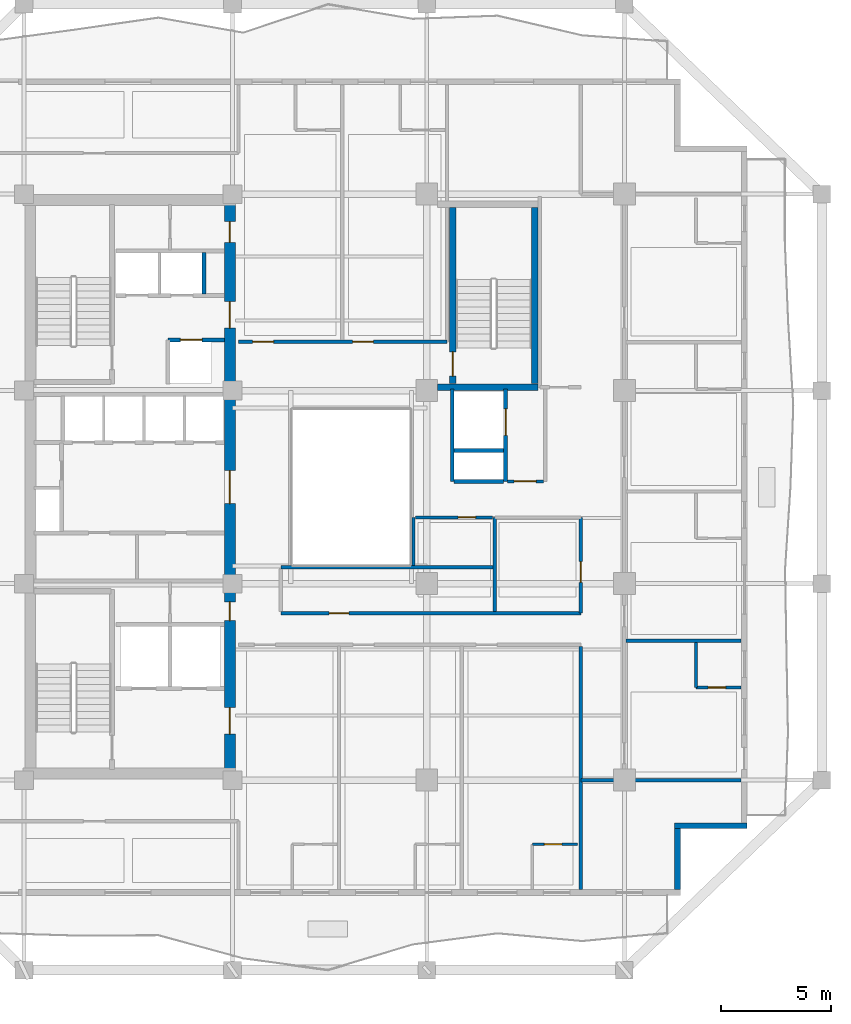
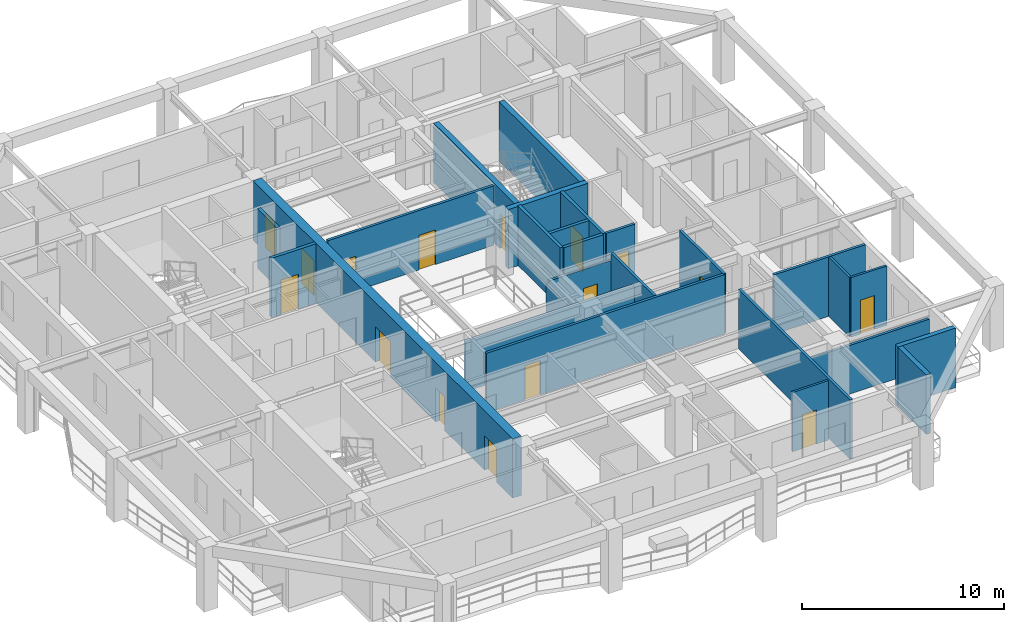
# One storey, part 5 of 11: 26 walls, 16 doors, 16 openings.
"""IFC4 building model written with IfcOpenShell, lengths in metres."""

from ifc_helpers import new_model, si_unit, direction, frame, frame_2d, origin, place, context, subcontext, project, spatial, rectangle, extrude, material, layer, layer_set, type_object, element, fill, save


model = new_model("IFC4")

# Units and contexts
model_context = context("Model", 3, precision=1e-05, world=origin(), true_north=direction((0.0, 1.0)))
body_context = subcontext(model_context, "Body", "Model", "MODEL_VIEW")
ifc_project = project(units=[si_unit("LENGTHUNIT", "METRE"), si_unit("AREAUNIT", "SQUARE_METRE"), si_unit("VOLUMEUNIT", "CUBIC_METRE"), si_unit("PLANEANGLEUNIT", "RADIAN"), si_unit("MASSUNIT", "GRAM", prefix="KILO")], contexts=[model_context])

# Site, building, storey
site_placement = place(None, origin())
site = spatial("IfcSite", under=ifc_project, at=site_placement, CompositionType="ELEMENT")
building_placement = place(site_placement, origin())
building = spatial("IfcBuilding", under=site, at=building_placement, Name="Kundavana Baori Tower", CompositionType="ELEMENT")
storey_placement = place(building_placement, frame((0.0, 0.0, 130.949951171875)))
storey = spatial("IfcBuildingStorey", under=building, at=storey_placement, Name="L31", CompositionType="ELEMENT", Elevation=130.949951171875)

# Wall, openings, doors
ifc_material_1 = material(Name="Concrete C50/60", Category="concrete")
ifc_layer_1 = layer(ifc_material_1, 0.5, Name="WL-CORE-500")
ifc_layer_set_1 = layer_set([ifc_layer_1], Name="Concrete C50/60")
wall_type_1 = type_object("IfcWallType", Name="WL-CORE-500", PredefinedType="SHEAR", material=ifc_layer_set_1)
wall_1_placement = place(storey_placement, frame((24.830078125, 15.739990234375, 0.0), z_axis=(0.0, 0.0, 1.0), x_axis=(0.0, 1.0, 0.0)))
wall_1 = element("IfcWall", 1, at=wall_1_placement, inside=storey, type_object=wall_type_1, Name="L31 Offset Core East Shear Wall", PredefinedType="SHEAR", context=body_context, shape_type="SweptSolid", body=[
    extrude(rectangle(XDim=25.760009765625, YDim=0.5, at=frame_2d((12.8798828125, 0.0))), origin(), (0.0, 0.0, 1.0), 3.60009765625),
])
opening_1_placement = place(wall_1_placement, frame((1.610107421875, 0.0, 0.0)))
opening_1 = element("IfcOpeningElement", 2, at=opening_1_placement, cuts=wall_1, Name="Opening FD-120", PredefinedType="OPENING", context=body_context, shape_type="SweptSolid", body=[
    extrude(rectangle(XDim=1.199951171875, YDim=2.10009765625, at=frame_2d((0.60009765625, 1.050048828125))), frame((0.0, 0.260009765625, 0.0), z_axis=(0.0, -1.0, 0.0), x_axis=(1.0, 0.0, 0.0)), (0.0, 0.0, 1.0), 0.52001953125),
])
opening_2_placement = place(wall_1_placement, frame((6.780029296875, 0.0, 0.0)))
opening_2 = element("IfcOpeningElement", 3, at=opening_2_placement, cuts=wall_1, Name="Opening FD-085", PredefinedType="OPENING", context=body_context, shape_type="SweptSolid", body=[
    extrude(rectangle(XDim=0.85009765625, YDim=2.06005859375, at=frame_2d((0.425048828125, 1.030029296875))), frame((0.0, 0.260009765625, 0.0), z_axis=(0.0, -1.0, 0.0), x_axis=(1.0, 0.0, 0.0)), (0.0, 0.0, 1.0), 0.52001953125),
])
opening_3_placement = place(wall_1_placement, frame((12.110107421875, 0.0, 0.0)))
opening_3 = element("IfcOpeningElement", 4, at=opening_3_placement, cuts=wall_1, Name="Opening FD-150", PredefinedType="OPENING", context=body_context, shape_type="SweptSolid", body=[
    extrude(rectangle(XDim=1.5, YDim=2.1201171875, at=frame_2d((0.75, 1.06005859375))), frame((0.0, 0.260009765625, 0.0), z_axis=(0.0, -1.0, 0.0), x_axis=(1.0, 0.0, 0.0)), (0.0, 0.0, 1.0), 0.52001953125),
])
opening_4_placement = place(wall_1_placement, frame((20.110107421875, 0.0, 0.0)))
opening_4 = element("IfcOpeningElement", 5, at=opening_4_placement, cuts=wall_1, Name="Opening FD-122", PredefinedType="OPENING", context=body_context, shape_type="SweptSolid", body=[
    extrude(rectangle(XDim=1.199951171875, YDim=2.1201171875, at=frame_2d((0.60009765625, 1.06005859375))), frame((0.0, 0.260009765625, 0.0), z_axis=(0.0, -1.0, 0.0), x_axis=(1.0, 0.0, 0.0)), (0.0, 0.0, 1.0), 0.52001953125),
])
opening_5_placement = place(wall_1_placement, frame((24.010009765625, 0.0, 0.0)))
opening_5 = element("IfcOpeningElement", 6, at=opening_5_placement, cuts=wall_1, Name="Opening FD-095", PredefinedType="OPENING", context=body_context, shape_type="SweptSolid", body=[
    extrude(rectangle(XDim=0.949951171875, YDim=2.10009765625, at=frame_2d((0.47509765625, 1.050048828125))), frame((0.0, 0.260009765625, 0.0), z_axis=(0.0, -1.0, 0.0), x_axis=(1.0, 0.0, 0.0)), (0.0, 0.0, 1.0), 0.52001953125),
])
ifc_material_2 = material(Name="Galvanised Steel Fire-Rated Door Leaf", Category="steel")
door_type_1 = type_object("IfcDoorType", Name="DR-FD120-1200", OperationType="NOTDEFINED", PredefinedType="DOOR", material=ifc_material_2)
door_1_placement = place(opening_1_placement, frame((1.199951171875, 0.0, 0.0), z_axis=(0.0, 0.0, 1.0), x_axis=(-1.0, 0.0, 0.0)))
door_1 = element("IfcDoor", 7, at=door_1_placement, inside=storey, type_object=door_type_1, Name="DR-L31-FFLOB-E", OperationType="SINGLE_SWING_RIGHT", OverallHeight=2.10009765625, OverallWidth=1.199951171875, PredefinedType="DOOR", context=body_context, shape_type="SweptSolid", body=[
    extrude(rectangle(XDim=1.199951171875, YDim=2.10009765625, at=frame_2d((0.60009765625, 1.050048828125))), frame((0.0, 0.02490234375, 0.0), z_axis=(0.0, -1.0, 0.0), x_axis=(1.0, 0.0, 0.0)), (0.0, 0.0, 1.0), 0.050048828125),
])
fill(opening_1, door_1)
ifc_material_3 = material(Name="Galvanised Steel Fire-Rated Door Leaf", Category="steel")
door_type_2 = type_object("IfcDoorType", Name="DR-FD60-1200", OperationType="NOTDEFINED", PredefinedType="DOOR", material=ifc_material_3)
door_2_placement = place(opening_4_placement, frame((1.199951171875, 0.0, 0.0), z_axis=(0.0, 0.0, 1.0), x_axis=(-1.0, 0.0, 0.0)))
door_2 = element("IfcDoor", 8, at=door_2_placement, inside=storey, type_object=door_type_2, Name="DR-L31-HRLOB-E", OperationType="SINGLE_SWING_RIGHT", OverallHeight=2.1201171875, OverallWidth=1.199951171875, PredefinedType="DOOR", context=body_context, shape_type="SweptSolid", body=[
    extrude(rectangle(XDim=1.199951171875, YDim=2.1201171875, at=frame_2d((0.60009765625, 1.06005859375))), frame((0.0, 0.02490234375, 0.0), z_axis=(0.0, -1.0, 0.0), x_axis=(1.0, 0.0, 0.0)), (0.0, 0.0, 1.0), 0.050048828125),
])
fill(opening_4, door_2)
ifc_material_4 = material(Name="Galvanised Steel Fire-Rated Door Leaf", Category="steel")
door_type_3 = type_object("IfcDoorType", Name="DR-FD60-1500", OperationType="NOTDEFINED", PredefinedType="DOOR", material=ifc_material_4)
door_3_placement = place(opening_3_placement, frame((1.5, 0.0, 0.0), z_axis=(0.0, 0.0, 1.0), x_axis=(-1.0, 0.0, 0.0)))
door_3 = element("IfcDoor", 9, at=door_3_placement, inside=storey, type_object=door_type_3, Name="DR-L31-LIFTHALL-E", OperationType="SINGLE_SWING_LEFT", OverallHeight=2.1201171875, OverallWidth=1.5, PredefinedType="DOOR", context=body_context, shape_type="SweptSolid", body=[
    extrude(rectangle(XDim=1.5, YDim=2.1201171875, at=frame_2d((0.75, 1.06005859375))), frame((0.0, 0.02490234375, 0.0), z_axis=(0.0, -1.0, 0.0), x_axis=(1.0, 0.0, 0.0)), (0.0, 0.0, 1.0), 0.050048828125),
])
fill(opening_3, door_3)
ifc_material_5 = material(Name="Galvanised Steel Fire-Rated Door Leaf", Category="steel")
door_type_4 = type_object("IfcDoorType", Name="DR-FD60-850", OperationType="NOTDEFINED", PredefinedType="DOOR", material=ifc_material_5)
door_4_placement = place(opening_2_placement, frame((0.85009765625, 0.0, 0.0), z_axis=(0.0, 0.0, 1.0), x_axis=(-1.0, 0.0, 0.0)))
door_4 = element("IfcDoor", 10, at=door_4_placement, inside=storey, type_object=door_type_4, Name="DR-L31-CSMK2", OperationType="SINGLE_SWING_RIGHT", OverallHeight=2.06005859375, OverallWidth=0.85009765625, PredefinedType="DOOR", context=body_context, shape_type="SweptSolid", body=[
    extrude(rectangle(XDim=0.85009765625, YDim=2.06005859375, at=frame_2d((0.425048828125, 1.030029296875))), frame((0.0, 0.02490234375, 0.0), z_axis=(0.0, -1.0, 0.0), x_axis=(1.0, 0.0, 0.0)), (0.0, 0.0, 1.0), 0.050048828125),
])
fill(opening_2, door_4)
ifc_material_6 = material(Name="Engineered Teak Fire-Rated Timber Door Leaf", Category="wood")
door_type_5 = type_object("IfcDoorType", Name="DR-FD60-950", OperationType="NOTDEFINED", PredefinedType="DOOR", material=ifc_material_6)
door_5_placement = place(opening_5_placement, frame((0.949951171875, 0.0, 0.0), z_axis=(0.0, 0.0, 1.0), x_axis=(-1.0, 0.0, 0.0)))
door_5 = element("IfcDoor", 11, at=door_5_placement, inside=storey, type_object=door_type_5, Name="DR-L31-CSRV2", OperationType="SINGLE_SWING_RIGHT", OverallHeight=2.10009765625, OverallWidth=0.949951171875, PredefinedType="DOOR", context=body_context, shape_type="SweptSolid", body=[
    extrude(rectangle(XDim=0.949951171875, YDim=2.10009765625, at=frame_2d((0.47509765625, 1.050048828125))), frame((0.0, 0.02490234375, 0.0), z_axis=(0.0, -1.0, 0.0), x_axis=(1.0, 0.0, 0.0)), (0.0, 0.0, 1.0), 0.050048828125),
])
fill(opening_5, door_5)

# Walls
ifc_material_7 = material(Name="Kiln-Fired Terracotta Brick-Slip Masonry on Concrete C40/50", Category="masonry")
ifc_layer_2 = layer(ifc_material_7, 0.260009765625, Name="WL-EXT-BRK-260")
ifc_layer_set_2 = layer_set([ifc_layer_2], Name="Kiln-Fired Terracotta Brick-Slip Masonry on Concrete C40/50")
wall_type_2 = type_object("IfcWallType", Name="WL-EXT-BRK-260", PredefinedType="SOLIDWALL", material=ifc_layer_set_2)
wall_2_placement = place(storey_placement, frame((45.219970703125, 10.260009765625, 0.0), z_axis=(0.0, 0.0, 1.0), x_axis=(0.0, 1.0, 0.0)))
element("IfcWall", 12, at=wall_2_placement, inside=storey, type_object=wall_type_2, Name="L31 Exterior Insulated Facade Wall 02", PredefinedType="SOLIDWALL", context=body_context, shape_type="SweptSolid", body=[
    extrude(rectangle(XDim=2.7900390625, YDim=0.260009765625, at=frame_2d((1.39501953125, 0.0))), origin(), (0.0, 0.0, 1.0), 3.60009765625),
])
wall_3_placement = place(storey_placement, frame((45.090087890625, 13.179931640625, 0.0), z_axis=(0.0, 0.0, 1.0), x_axis=(1.0, 0.0, 0.0)))
element("IfcWall", 13, at=wall_3_placement, inside=storey, type_object=wall_type_2, Name="L31 Exterior Insulated Facade Wall 03", PredefinedType="SOLIDWALL", context=body_context, shape_type="SweptSolid", body=[
    extrude(rectangle(XDim=3.309814453125, YDim=0.260009765625, at=frame_2d((1.65478515625, 0.0))), origin(), (0.0, 0.0, 1.0), 3.60009765625),
])

# Wall, opening, door
ifc_material_8 = material(Name="Fire-Rated Gypsum Drywall on Galvanised Steel Studs", Category="steel")
ifc_layer_3 = layer(ifc_material_8, 0.14990234375, Name="WL-PART-150")
ifc_layer_set_3 = layer_set([ifc_layer_3], Name="Fire-Rated Gypsum Drywall on Galvanised Steel Studs")
wall_type_3 = type_object("IfcWallType", Name="WL-PART-150", PredefinedType="PARTITIONING", material=ifc_layer_set_3)
wall_4_placement = place(storey_placement, frame((37.47998046875, 28.860107421875, 0.0), z_axis=(0.0, 0.0, 1.0), x_axis=(1.0, 0.0, 0.0)))
wall_4 = element("IfcWall", 14, at=wall_4_placement, inside=storey, type_object=wall_type_3, Name="WL-L31-SVLOB-S", PredefinedType="PARTITIONING", context=body_context, shape_type="SweptSolid", body=[
    extrude(rectangle(XDim=1.64013671875, YDim=0.14990234375, at=frame_2d((0.820068359375, 0.0))), origin(), (0.0, 0.0, 1.0), 3.60009765625),
])
opening_6_placement = place(wall_4_placement, frame((0.300048828125, 0.0, 0.0)))
opening_6 = element("IfcOpeningElement", 15, at=opening_6_placement, cuts=wall_4, Name="Opening FD-100", PredefinedType="OPENING", context=body_context, shape_type="SweptSolid", body=[
    extrude(rectangle(XDim=1.0, YDim=2.10009765625, at=frame_2d((0.5, 1.050048828125))), frame((0.0, 0.0849609375, 0.0), z_axis=(0.0, -1.0, 0.0), x_axis=(1.0, 0.0, 0.0)), (0.0, 0.0, 1.0), 0.169921875),
])
ifc_material_9 = material(Name="Engineered Teak Fire-Rated Timber Door Leaf", Category="wood")
door_type_6 = type_object("IfcDoorType", Name="DR-FD60-1000", OperationType="NOTDEFINED", PredefinedType="DOOR", material=ifc_material_9)
door_6_placement = place(opening_6_placement, origin())
door_6 = element("IfcDoor", 16, at=door_6_placement, inside=storey, type_object=door_type_6, Name="DR-L31-SVLOB-OUT", OperationType="SINGLE_SWING_LEFT", OverallHeight=2.10009765625, OverallWidth=1.0, PredefinedType="DOOR", context=body_context, shape_type="SweptSolid", body=[
    extrude(rectangle(XDim=1.0, YDim=2.10009765625, at=frame_2d((0.5, 1.050048828125))), frame((0.0, 0.02490234375, 0.0), z_axis=(0.0, -1.0, 0.0), x_axis=(1.0, 0.0, 0.0)), (0.0, 0.0, 1.0), 0.050048828125),
])
fill(opening_6, door_6)

wall_5_placement = place(storey_placement, frame((27.14990234375, 22.860107421875, 0.0), z_axis=(0.0, 0.0, 1.0), x_axis=(1.0, 0.0, 0.0)))
wall_5 = element("IfcWall", 17, at=wall_5_placement, inside=storey, type_object=wall_type_3, Name="WL-L31-HST", PredefinedType="PARTITIONING", context=body_context, shape_type="SweptSolid", body=[
    extrude(rectangle(XDim=13.670166015625, YDim=0.14990234375, at=frame_2d((6.8349609375, 0.0))), origin(), (0.0, 0.0, 1.0), 3.60009765625),
])
opening_7_placement = place(wall_5_placement, frame((2.199951171875, 0.0, 0.0)))
opening_7 = element("IfcOpeningElement", 18, at=opening_7_placement, cuts=wall_5, Name="Opening ID-090", PredefinedType="OPENING", context=body_context, shape_type="SweptSolid", body=[
    extrude(rectangle(XDim=0.89990234375, YDim=2.080078125, at=frame_2d((0.449951171875, 1.0400390625))), frame((0.0, 0.0849609375, 0.0), z_axis=(0.0, -1.0, 0.0), x_axis=(1.0, 0.0, 0.0)), (0.0, 0.0, 1.0), 0.169921875),
])
ifc_material_10 = material(Name="Engineered Teak Solid-Core Timber Veneer", Category="wood")
door_type_7 = type_object("IfcDoorType", Name="DR-INT-900", OperationType="NOTDEFINED", PredefinedType="DOOR", material=ifc_material_10)
door_7_placement = place(opening_7_placement, origin())
door_7 = element("IfcDoor", 19, at=door_7_placement, inside=storey, type_object=door_type_7, Name="DR-L31-HPNT", OperationType="SINGLE_SWING_LEFT", OverallHeight=2.080078125, OverallWidth=0.89990234375, PredefinedType="DOOR", context=body_context, shape_type="SweptSolid", body=[
    extrude(rectangle(XDim=0.89990234375, YDim=2.080078125, at=frame_2d((0.449951171875, 1.0400390625))), frame((0.0, 0.02490234375, 0.0), z_axis=(0.0, -1.0, 0.0), x_axis=(1.0, 0.0, 0.0)), (0.0, 0.0, 1.0), 0.050048828125),
])
fill(opening_7, door_7)

# Wall, openings, doors
wall_6_placement = place(storey_placement, frame((25.219970703125, 35.219970703125, 0.0), z_axis=(0.0, 0.0, 1.0), x_axis=(1.0, 0.0, 0.0)))
wall_6 = element("IfcWall", 20, at=wall_6_placement, inside=storey, type_object=wall_type_3, Name="WL-L31-HN", PredefinedType="PARTITIONING", context=body_context, shape_type="SweptSolid", body=[
    extrude(rectangle(XDim=9.5, YDim=0.14990234375, at=frame_2d((4.75, 0.0))), origin(), (0.0, 0.0, 1.0), 3.60009765625),
])
opening_8_placement = place(wall_6_placement, frame((0.64990234375, 0.0, 0.0)))
opening_8 = element("IfcOpeningElement", 21, at=opening_8_placement, cuts=wall_6, Name="Opening FD-095", PredefinedType="OPENING", context=body_context, shape_type="SweptSolid", body=[
    extrude(rectangle(XDim=0.949951171875, YDim=2.10009765625, at=frame_2d((0.47509765625, 1.050048828125))), frame((0.0, 0.0849609375, 0.0), z_axis=(0.0, -1.0, 0.0), x_axis=(1.0, 0.0, 0.0)), (0.0, 0.0, 1.0), 0.169921875),
])
opening_9_placement = place(wall_6_placement, frame((5.199951171875, 0.0, 0.0)))
opening_9 = element("IfcOpeningElement", 22, at=opening_9_placement, cuts=wall_6, Name="Opening FD-095", PredefinedType="OPENING", context=body_context, shape_type="SweptSolid", body=[
    extrude(rectangle(XDim=0.949951171875, YDim=2.10009765625, at=frame_2d((0.47509765625, 1.050048828125))), frame((0.0, 0.0849609375, 0.0), z_axis=(0.0, -1.0, 0.0), x_axis=(1.0, 0.0, 0.0)), (0.0, 0.0, 1.0), 0.169921875),
])
door_8_placement = place(opening_8_placement, origin())
door_8 = element("IfcDoor", 23, at=door_8_placement, inside=storey, type_object=door_type_5, Name="DR-L31-HK-N1-ENT", OperationType="SINGLE_SWING_LEFT", OverallHeight=2.10009765625, OverallWidth=0.949951171875, PredefinedType="DOOR", context=body_context, shape_type="SweptSolid", body=[
    extrude(rectangle(XDim=0.949951171875, YDim=2.10009765625, at=frame_2d((0.47509765625, 1.050048828125))), frame((0.0, 0.02490234375, 0.0), z_axis=(0.0, -1.0, 0.0), x_axis=(1.0, 0.0, 0.0)), (0.0, 0.0, 1.0), 0.050048828125),
])
fill(opening_8, door_8)
door_9_placement = place(opening_9_placement, origin())
door_9 = element("IfcDoor", 24, at=door_9_placement, inside=storey, type_object=door_type_5, Name="DR-L31-HK-N2-ENT", OperationType="SINGLE_SWING_RIGHT", OverallHeight=2.10009765625, OverallWidth=0.949951171875, PredefinedType="DOOR", context=body_context, shape_type="SweptSolid", body=[
    extrude(rectangle(XDim=0.949951171875, YDim=2.10009765625, at=frame_2d((0.47509765625, 1.050048828125))), frame((0.0, 0.02490234375, 0.0), z_axis=(0.0, -1.0, 0.0), x_axis=(1.0, 0.0, 0.0)), (0.0, 0.0, 1.0), 0.050048828125),
])
fill(opening_9, door_9)

# Wall
wall_7_placement = place(storey_placement, frame((40.820068359375, 15.25, 0.0), z_axis=(0.0, 0.0, 1.0), x_axis=(1.0, 0.0, 0.0)))
element("IfcWall", 25, at=wall_7_placement, inside=storey, type_object=wall_type_3, Name="WL-L31-HES", PredefinedType="PARTITIONING", context=body_context, shape_type="SweptSolid", body=[
    extrude(rectangle(XDim=7.300048828125, YDim=0.14990234375, at=frame_2d((3.64990234375, 0.0))), origin(), (0.0, 0.0, 1.0), 2.949951171875),
])

# Wall, opening, door
wall_8_placement = place(storey_placement, frame((40.820068359375, 22.860107421875, 0.0), z_axis=(0.0, 0.0, 1.0), x_axis=(0.0, 1.0, 0.0)))
wall_8 = element("IfcWall", 26, at=wall_8_placement, inside=storey, type_object=wall_type_3, Name="WL-L31-HEW", PredefinedType="PARTITIONING", context=body_context, shape_type="SweptSolid", body=[
    extrude(rectangle(XDim=4.35986328125, YDim=0.14990234375, at=frame_2d((2.179931640625, 0.0))), origin(), (0.0, 0.0, 1.0), 3.60009765625),
])
opening_10_placement = place(wall_8_placement, frame((1.39990234375, 0.0, 0.0)))
opening_10 = element("IfcOpeningElement", 27, at=opening_10_placement, cuts=wall_8, Name="Opening FD-095", PredefinedType="OPENING", context=body_context, shape_type="SweptSolid", body=[
    extrude(rectangle(XDim=0.949951171875, YDim=2.10009765625, at=frame_2d((0.47509765625, 1.050048828125))), frame((0.0, 0.0849609375, 0.0), z_axis=(0.0, -1.0, 0.0), x_axis=(1.0, 0.0, 0.0)), (0.0, 0.0, 1.0), 0.169921875),
])
door_10_placement = place(opening_10_placement, frame((0.949951171875, 0.0, 0.0), z_axis=(0.0, 0.0, 1.0), x_axis=(-1.0, 0.0, 0.0)))
door_10 = element("IfcDoor", 28, at=door_10_placement, inside=storey, type_object=door_type_5, Name="DR-L31-HSK", OperationType="SINGLE_SWING_RIGHT", OverallHeight=2.10009765625, OverallWidth=0.949951171875, PredefinedType="DOOR", context=body_context, shape_type="SweptSolid", body=[
    extrude(rectangle(XDim=0.949951171875, YDim=2.10009765625, at=frame_2d((0.47509765625, 1.050048828125))), frame((0.0, 0.02490234375, 0.0), z_axis=(0.0, -1.0, 0.0), x_axis=(1.0, 0.0, 0.0)), (0.0, 0.0, 1.0), 0.050048828125),
])
fill(opening_10, door_10)

# Walls
wall_9_placement = place(storey_placement, frame((36.89990234375, 22.93994140625, 0.0), z_axis=(0.0, 0.0, 1.0), x_axis=(0.0, 1.0, 0.0)))
element("IfcWall", 29, at=wall_9_placement, inside=storey, type_object=wall_type_3, Name="WL-L31-HKD", PredefinedType="PARTITIONING", context=body_context, shape_type="SweptSolid", body=[
    extrude(rectangle(XDim=4.280029296875, YDim=0.14990234375, at=frame_2d((2.14013671875, 0.0))), origin(), (0.0, 0.0, 1.0), 3.60009765625),
])
wall_10_placement = place(storey_placement, frame((27.14990234375, 24.949951171875, 0.0), z_axis=(0.0, 0.0, 1.0), x_axis=(1.0, 0.0, 0.0)))
element("IfcWall", 30, at=wall_10_placement, inside=storey, type_object=wall_type_3, Name="WL-L31-HPN1", PredefinedType="PARTITIONING", context=body_context, shape_type="SweptSolid", body=[
    extrude(rectangle(XDim=9.670166015625, YDim=0.14990234375, at=frame_2d((4.8349609375, 0.0))), origin(), (0.0, 0.0, 1.0), 3.050048828125),
])
wall_11_placement = place(storey_placement, frame((33.199951171875, 25.02001953125, 0.0), z_axis=(0.0, 0.0, 1.0), x_axis=(0.0, 1.0, 0.0)))
element("IfcWall", 31, at=wall_11_placement, inside=storey, type_object=wall_type_3, Name="WL-L31-HASW", PredefinedType="PARTITIONING", context=body_context, shape_type="SweptSolid", body=[
    extrude(rectangle(XDim=2.199951171875, YDim=0.14990234375, at=frame_2d((1.10009765625, 0.0))), origin(), (0.0, 0.0, 1.0), 3.050048828125),
])

# Wall, opening, door
wall_12_placement = place(storey_placement, frame((33.280029296875, 27.219970703125, 0.0), z_axis=(0.0, 0.0, 1.0), x_axis=(1.0, 0.0, 0.0)))
wall_12 = element("IfcWall", 32, at=wall_12_placement, inside=storey, type_object=wall_type_3, Name="WL-L31-HASN", PredefinedType="PARTITIONING", context=body_context, shape_type="SweptSolid", body=[
    extrude(rectangle(XDim=3.52001953125, YDim=0.14990234375, at=frame_2d((1.760009765625, 0.0))), origin(), (0.0, 0.0, 1.0), 3.199951171875),
])
opening_11_placement = place(wall_12_placement, frame((1.949951171875, 0.0, 0.0)))
opening_11 = element("IfcOpeningElement", 33, at=opening_11_placement, cuts=wall_12, Name="Opening WD-080", PredefinedType="OPENING", context=body_context, shape_type="SweptSolid", body=[
    extrude(rectangle(XDim=0.800048828125, YDim=2.050048828125, at=frame_2d((0.39990234375, 1.02490234375))), frame((0.0, 0.0849609375, 0.0), z_axis=(0.0, -1.0, 0.0), x_axis=(1.0, 0.0, 0.0)), (0.0, 0.0, 1.0), 0.169921875),
])
ifc_material_11 = material(Name="Engineered Teak Solid-Core Timber Veneer", Category="wood")
door_type_8 = type_object("IfcDoorType", Name="DR-WET-800", OperationType="NOTDEFINED", PredefinedType="DOOR", material=ifc_material_11)
door_11_placement = place(opening_11_placement, frame((0.800048828125, 0.0, 0.0), z_axis=(0.0, 0.0, 1.0), x_axis=(-1.0, 0.0, 0.0)))
door_11 = element("IfcDoor", 34, at=door_11_placement, inside=storey, type_object=door_type_8, Name="DR-L31-HLAS", OperationType="SINGLE_SWING_LEFT", OverallHeight=2.050048828125, OverallWidth=0.800048828125, PredefinedType="DOOR", context=body_context, shape_type="SweptSolid", body=[
    extrude(rectangle(XDim=0.800048828125, YDim=2.050048828125, at=frame_2d((0.39990234375, 1.02490234375))), frame((0.0, 0.02490234375, 0.0), z_axis=(0.0, -1.0, 0.0), x_axis=(1.0, 0.0, 0.0)), (0.0, 0.0, 1.0), 0.050048828125),
])
fill(opening_11, door_11)

# Walls
wall_13_placement = place(storey_placement, frame((40.820068359375, 10.280029296875, 0.0), z_axis=(0.0, 0.0, 1.0), x_axis=(0.0, 1.0, 0.0)))
element("IfcWall", 35, at=wall_13_placement, inside=storey, type_object=wall_type_3, Name="WL-L31-HSEND", PredefinedType="PARTITIONING", context=body_context, shape_type="SweptSolid", body=[
    extrude(rectangle(XDim=11.06005859375, YDim=0.14990234375, at=frame_2d((5.530029296875, 0.0))), origin(), (0.0, 0.0, 1.0), 3.60009765625),
])
wall_14_placement = place(storey_placement, frame((42.8798828125, 21.60009765625, 0.0), z_axis=(0.0, 0.0, 1.0), x_axis=(1.0, 0.0, 0.0)))
element("IfcWall", 36, at=wall_14_placement, inside=storey, type_object=wall_type_3, Name="WL-L31-HED1", PredefinedType="PARTITIONING", context=body_context, shape_type="SweptSolid", body=[
    extrude(rectangle(XDim=5.240234375, YDim=0.14990234375, at=frame_2d((2.6201171875, 0.0))), origin(), (0.0, 0.0, 1.0), 3.60009765625),
])

# Wall, opening, door
ifc_material_12 = material(Name="Autoclaved Aerated Concrete Blockwork Masonry", Category="masonry")
ifc_layer_4 = layer(ifc_material_12, 0.179931640625, Name="WL-SHAFT-180")
ifc_layer_set_4 = layer_set([ifc_layer_4], Name="Autoclaved Aerated Concrete Blockwork Masonry")
wall_type_4 = type_object("IfcWallType", Name="WL-SHAFT-180", PredefinedType="SOLIDWALL", material=ifc_layer_set_4)
wall_15_placement = place(storey_placement, frame((22.02001953125, 35.31005859375, 0.0), z_axis=(0.0, 0.0, 1.0), x_axis=(1.0, 0.0, 0.0)))
wall_15 = element("IfcWall", 37, at=wall_15_placement, inside=storey, type_object=wall_type_4, Name="WL-L31-LP11-N", PredefinedType="SOLIDWALL", context=body_context, shape_type="SweptSolid", body=[
    extrude(rectangle(XDim=2.56005859375, YDim=0.179931640625, at=frame_2d((1.280029296875, 0.0))), origin(), (0.0, 0.0, 1.0), 3.60009765625),
])
opening_12_placement = place(wall_15_placement, frame((0.550048828125, 0.0, 0.0)))
opening_12 = element("IfcOpeningElement", 38, at=opening_12_placement, cuts=wall_15, Name="Opening LD-100", PredefinedType="OPENING", context=body_context, shape_type="SweptSolid", body=[
    extrude(rectangle(XDim=1.0, YDim=2.10009765625, at=frame_2d((0.5, 1.050048828125))), frame((0.0, 0.10009765625, 0.0), z_axis=(0.0, -1.0, 0.0), x_axis=(1.0, 0.0, 0.0)), (0.0, 0.0, 1.0), 0.199951171875),
])
ifc_material_13 = material(Name="Galvanised Steel Fire-Rated Door Leaf", Category="steel")
door_type_9 = type_object("IfcDoorType", Name="DR-SLIDE-LD1000", OperationType="NOTDEFINED", PredefinedType="DOOR", material=ifc_material_13)
door_12_placement = place(opening_12_placement, origin())
door_12 = element("IfcDoor", 39, at=door_12_placement, inside=storey, type_object=door_type_9, Name="DR-L31-LD-LP11", OperationType="DOUBLE_DOOR_SLIDING", OverallHeight=2.10009765625, OverallWidth=1.0, PredefinedType="DOOR", context=body_context, shape_type="SweptSolid", body=[
    extrude(rectangle(XDim=1.0, YDim=2.10009765625, at=frame_2d((0.5, 1.050048828125))), frame((0.0, 0.02490234375, 0.0), z_axis=(0.0, -1.0, 0.0), x_axis=(1.0, 0.0, 0.0)), (0.0, 0.0, 1.0), 0.050048828125),
])
fill(opening_12, door_12)

# Walls
wall_16_placement = place(storey_placement, frame((23.659912109375, 37.39990234375, 0.0), z_axis=(0.0, 0.0, 1.0), x_axis=(0.0, 1.0, 0.0)))
element("IfcWall", 40, at=wall_16_placement, inside=storey, type_object=wall_type_4, Name="WL-L31-HR-DIV2", PredefinedType="SOLIDWALL", context=body_context, shape_type="SweptSolid", body=[
    extrude(rectangle(XDim=1.900146484375, YDim=0.179931640625, at=frame_2d((0.9501953125, 0.0))), origin(), (0.0, 0.0, 1.0), 3.60009765625),
])
wall_17_placement = place(storey_placement, frame((34.9599609375, 28.860107421875, 0.0), z_axis=(0.0, 0.0, 1.0), x_axis=(0.0, 1.0, 0.0)))
element("IfcWall", 41, at=wall_17_placement, inside=storey, type_object=wall_type_4, Name="WL-L31-SVL-W", PredefinedType="SOLIDWALL", context=body_context, shape_type="SweptSolid", body=[
    extrude(rectangle(XDim=4.219970703125, YDim=0.179931640625, at=frame_2d((2.10986328125, 0.0))), origin(), (0.0, 0.0, 1.0), 3.60009765625),
])

# Wall, opening, door
wall_18_placement = place(storey_placement, frame((37.389892578125, 28.860107421875, 0.0), z_axis=(0.0, 0.0, 1.0), x_axis=(0.0, 1.0, 0.0)))
wall_18 = element("IfcWall", 42, at=wall_18_placement, inside=storey, type_object=wall_type_4, Name="WL-L31-SVL-E", PredefinedType="SOLIDWALL", context=body_context, shape_type="SweptSolid", body=[
    extrude(rectangle(XDim=4.219970703125, YDim=0.179931640625, at=frame_2d((2.10986328125, 0.0))), origin(), (0.0, 0.0, 1.0), 3.60009765625),
])
opening_13_placement = place(wall_18_placement, frame((2.10009765625, 0.0, 0.0)))
opening_13 = element("IfcOpeningElement", 43, at=opening_13_placement, cuts=wall_18, Name="Opening LD-120", PredefinedType="OPENING", context=body_context, shape_type="SweptSolid", body=[
    extrude(rectangle(XDim=1.199951171875, YDim=2.1201171875, at=frame_2d((0.60009765625, 1.06005859375))), frame((0.0, 0.10009765625, 0.0), z_axis=(0.0, -1.0, 0.0), x_axis=(1.0, 0.0, 0.0)), (0.0, 0.0, 1.0), 0.199951171875),
])
ifc_material_14 = material(Name="Galvanised Steel Fire-Rated Door Leaf", Category="steel")
door_type_10 = type_object("IfcDoorType", Name="DR-SLIDE-LD1200", OperationType="NOTDEFINED", PredefinedType="DOOR", material=ifc_material_14)
door_13_placement = place(opening_13_placement, frame((1.199951171875, 0.0, 0.0), z_axis=(0.0, 0.0, 1.0), x_axis=(-1.0, 0.0, 0.0)))
door_13 = element("IfcDoor", 44, at=door_13_placement, inside=storey, type_object=door_type_10, Name="DR-L31-LD-SVL1", OperationType="DOUBLE_DOOR_SLIDING", OverallHeight=2.1201171875, OverallWidth=1.199951171875, PredefinedType="DOOR", context=body_context, shape_type="SweptSolid", body=[
    extrude(rectangle(XDim=1.199951171875, YDim=2.1201171875, at=frame_2d((0.60009765625, 1.06005859375))), frame((0.0, 0.02490234375, 0.0), z_axis=(0.0, -1.0, 0.0), x_axis=(1.0, 0.0, 0.0)), (0.0, 0.0, 1.0), 0.050048828125),
])
fill(opening_13, door_13)

# Walls
for number, where, z_axis, x_axis, name in (
    (45, (35.050048828125, 28.860107421875, 0.0), (0.0, 0.0, 1.0), (1.0, 0.0, 0.0), "WL-L31-SVL-S"),
    (46, (35.050048828125, 30.27001953125, 0.0), (0.0, 0.0, 1.0), (1.0, 0.0, 0.0), "WL-L31-SVL-M"),
):
    element("IfcWall", number, at=place(storey_placement, frame(where, z_axis=z_axis, x_axis=x_axis)), inside=storey, type_object=wall_type_4, Name=name, PredefinedType="SOLIDWALL", context=body_context, shape_type="SweptSolid", body=[
        extrude(rectangle(XDim=2.25, YDim=0.179931640625, at=frame_2d((1.125, 0.0))), origin(), (0.0, 0.0, 1.0), 3.60009765625),
    ])
ifc_material_15 = material(Name="Concrete C50/60", Category="concrete")
ifc_layer_5 = layer(ifc_material_15, 0.300048828125, Name="WL-ST3-300")
ifc_layer_set_5 = layer_set([ifc_layer_5], Name="Concrete C50/60")
wall_type_5 = type_object("IfcWallType", Name="WL-ST3-300", PredefinedType="SHEAR", material=ifc_layer_set_5)
wall_19_placement = place(storey_placement, frame((34.300048828125, 33.159912109375, 0.0), z_axis=(0.0, 0.0, 1.0), x_axis=(1.0, 0.0, 0.0)))
element("IfcWall", 47, at=wall_19_placement, inside=storey, type_object=wall_type_5, Name="L31 Stair ST3 South Shear Wall", PredefinedType="SHEAR", context=body_context, shape_type="SweptSolid", body=[
    extrude(rectangle(XDim=4.570068359375, YDim=0.300048828125, at=frame_2d((2.28515625, 0.0))), origin(), (0.0, 0.0, 1.0), 3.60009765625),
])

# Wall, opening, door
wall_20_placement = place(storey_placement, frame((34.97998046875, 33.31005859375, 0.0), z_axis=(0.0, 0.0, 1.0), x_axis=(0.0, 1.0, 0.0)))
wall_20 = element("IfcWall", 48, at=wall_20_placement, inside=storey, type_object=wall_type_5, Name="L31 Stair ST3 West Shear Wall", PredefinedType="SHEAR", context=body_context, shape_type="SweptSolid", body=[
    extrude(rectangle(XDim=8.030029296875, YDim=0.300048828125, at=frame_2d((4.01513671875, 0.0))), origin(), (0.0, 0.0, 1.0), 3.60009765625),
])
opening_14_placement = place(wall_20_placement, frame((0.35009765625, 0.0, 0.0)))
opening_14 = element("IfcOpeningElement", 49, at=opening_14_placement, cuts=wall_20, Name="Opening FD-110", PredefinedType="OPENING", context=body_context, shape_type="SweptSolid", body=[
    extrude(rectangle(XDim=1.10009765625, YDim=2.10009765625, at=frame_2d((0.550048828125, 1.050048828125))), frame((0.0, 0.16015625, 0.0), z_axis=(0.0, -1.0, 0.0), x_axis=(1.0, 0.0, 0.0)), (0.0, 0.0, 1.0), 0.320068359375),
])
ifc_material_16 = material(Name="Galvanised Steel Fire-Rated Door Leaf", Category="steel")
door_type_11 = type_object("IfcDoorType", Name="DR-FD120-1100", OperationType="NOTDEFINED", PredefinedType="DOOR", material=ifc_material_16)
door_14_placement = place(opening_14_placement, origin())
door_14 = element("IfcDoor", 50, at=door_14_placement, inside=storey, type_object=door_type_11, Name="DR-L31-ST3-W", OperationType="SINGLE_SWING_LEFT", OverallHeight=2.10009765625, OverallWidth=1.10009765625, PredefinedType="DOOR", context=body_context, shape_type="SweptSolid", body=[
    extrude(rectangle(XDim=1.10009765625, YDim=2.10009765625, at=frame_2d((0.550048828125, 1.050048828125))), frame((0.0, 0.02490234375, 0.0), z_axis=(0.0, -1.0, 0.0), x_axis=(1.0, 0.0, 0.0)), (0.0, 0.0, 1.0), 0.050048828125),
])
fill(opening_14, door_14)

# Wall
wall_21_placement = place(storey_placement, frame((38.719970703125, 33.31005859375, 0.0), z_axis=(0.0, 0.0, 1.0), x_axis=(0.0, 1.0, 0.0)))
element("IfcWall", 51, at=wall_21_placement, inside=storey, type_object=wall_type_5, Name="L31 Stair ST3 East Shear Wall", PredefinedType="SHEAR", context=body_context, shape_type="SweptSolid", body=[
    extrude(rectangle(XDim=8.030029296875, YDim=0.300048828125, at=frame_2d((4.01513671875, 0.0))), origin(), (0.0, 0.0, 1.0), 3.60009765625),
])

# Wall, opening, door
ifc_material_17 = material(Name="Autoclaved Aerated Concrete Blockwork Masonry", Category="masonry")
ifc_layer_6 = layer(ifc_material_17, 0.125, Name="WL-WET-120")
ifc_layer_set_6 = layer_set([ifc_layer_6], Name="Autoclaved Aerated Concrete Blockwork Masonry")
wall_type_6 = type_object("IfcWallType", Name="WL-WET-120", PredefinedType="PLUMBINGWALL", material=ifc_layer_set_6)
wall_22_placement = place(storey_placement, frame((38.610107421875, 12.330078125, 0.0), z_axis=(0.0, 0.0, 1.0), x_axis=(1.0, 0.0, 0.0)))
wall_22 = element("IfcWall", 52, at=wall_22_placement, inside=storey, type_object=wall_type_6, Name="WL-L31-HK-S3-BN", PredefinedType="PLUMBINGWALL", context=body_context, shape_type="SweptSolid", body=[
    extrude(rectangle(XDim=2.0498046875, YDim=0.125, at=frame_2d((1.02490234375, 0.0))), origin(), (0.0, 0.0, 1.0), 3.60009765625),
])
opening_15_placement = place(wall_22_placement, frame((0.550048828125, 0.0, 0.0)))
opening_15 = element("IfcOpeningElement", 53, at=opening_15_placement, cuts=wall_22, Name="Opening WD-080", PredefinedType="OPENING", context=body_context, shape_type="SweptSolid", body=[
    extrude(rectangle(XDim=0.800048828125, YDim=2.050048828125, at=frame_2d((0.39990234375, 1.02490234375))), frame((0.0, 0.072509765625, 0.0), z_axis=(0.0, -1.0, 0.0), x_axis=(1.0, 0.0, 0.0)), (0.0, 0.0, 1.0), 0.14501953125),
])
door_15_placement = place(opening_15_placement, origin())
door_15 = element("IfcDoor", 54, at=door_15_placement, inside=storey, type_object=door_type_8, Name="DR-L31-HK-S3-ENS", OperationType="SINGLE_SWING_LEFT", OverallHeight=2.050048828125, OverallWidth=0.800048828125, PredefinedType="DOOR", context=body_context, shape_type="SweptSolid", body=[
    extrude(rectangle(XDim=0.800048828125, YDim=2.050048828125, at=frame_2d((0.39990234375, 1.02490234375))), frame((0.0, 0.02490234375, 0.0), z_axis=(0.0, -1.0, 0.0), x_axis=(1.0, 0.0, 0.0)), (0.0, 0.0, 1.0), 0.050048828125),
])
fill(opening_15, door_15)

# Wall
wall_23_placement = place(storey_placement, frame((46.070068359375, 19.469970703125, 0.0), z_axis=(0.0, 0.0, 1.0), x_axis=(0.0, 1.0, 0.0)))
element("IfcWall", 55, at=wall_23_placement, inside=storey, type_object=wall_type_6, Name="WL-L31-HK-E1-BW", PredefinedType="PLUMBINGWALL", context=body_context, shape_type="SweptSolid", body=[
    extrude(rectangle(XDim=2.050048828125, YDim=0.125, at=frame_2d((1.02490234375, 0.0))), origin(), (0.0, 0.0, 1.0), 3.60009765625),
])

# Wall, opening, door
wall_24_placement = place(storey_placement, frame((46.070068359375, 19.469970703125, 0.0), z_axis=(0.0, 0.0, 1.0), x_axis=(1.0, 0.0, 0.0)))
wall_24 = element("IfcWall", 56, at=wall_24_placement, inside=storey, type_object=wall_type_6, Name="WL-L31-HK-E1-BS", PredefinedType="PLUMBINGWALL", context=body_context, shape_type="SweptSolid", body=[
    extrude(rectangle(XDim=2.050048828125, YDim=0.125, at=frame_2d((1.02490234375, 0.0))), origin(), (0.0, 0.0, 1.0), 3.60009765625),
])
opening_16_placement = place(wall_24_placement, frame((0.550048828125, 0.0, 0.0)))
opening_16 = element("IfcOpeningElement", 57, at=opening_16_placement, cuts=wall_24, Name="Opening WD-080", PredefinedType="OPENING", context=body_context, shape_type="SweptSolid", body=[
    extrude(rectangle(XDim=0.800048828125, YDim=2.050048828125, at=frame_2d((0.39990234375, 1.02490234375))), frame((0.0, 0.072509765625, 0.0), z_axis=(0.0, -1.0, 0.0), x_axis=(1.0, 0.0, 0.0)), (0.0, 0.0, 1.0), 0.14501953125),
])
door_16_placement = place(opening_16_placement, frame((0.800048828125, 0.0, 0.0), z_axis=(0.0, 0.0, 1.0), x_axis=(-1.0, 0.0, 0.0)))
door_16 = element("IfcDoor", 58, at=door_16_placement, inside=storey, type_object=door_type_8, Name="DR-L31-HK-E1-ENS", OperationType="SINGLE_SWING_LEFT", OverallHeight=2.050048828125, OverallWidth=0.800048828125, PredefinedType="DOOR", context=body_context, shape_type="SweptSolid", body=[
    extrude(rectangle(XDim=0.800048828125, YDim=2.050048828125, at=frame_2d((0.39990234375, 1.02490234375))), frame((0.0, 0.02490234375, 0.0), z_axis=(0.0, -1.0, 0.0), x_axis=(1.0, 0.0, 0.0)), (0.0, 0.0, 1.0), 0.050048828125),
])
fill(opening_16, door_16)

save(model, "model.ifc")
